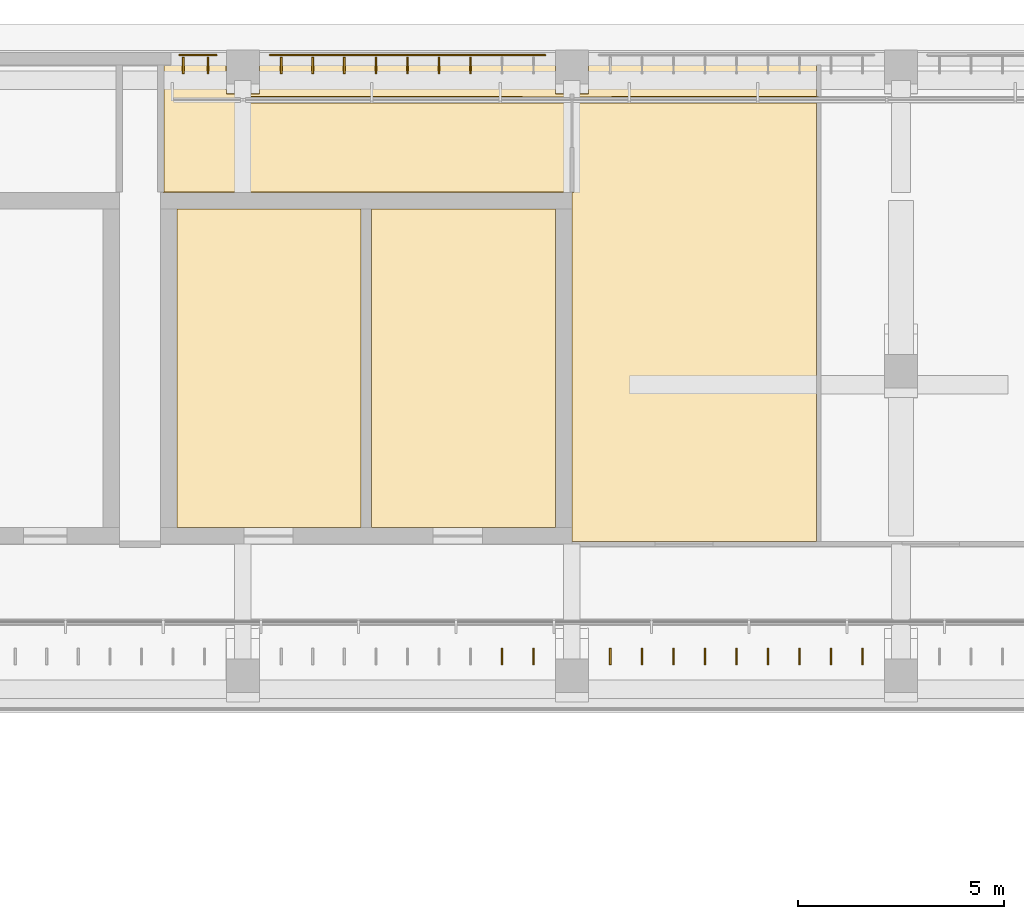
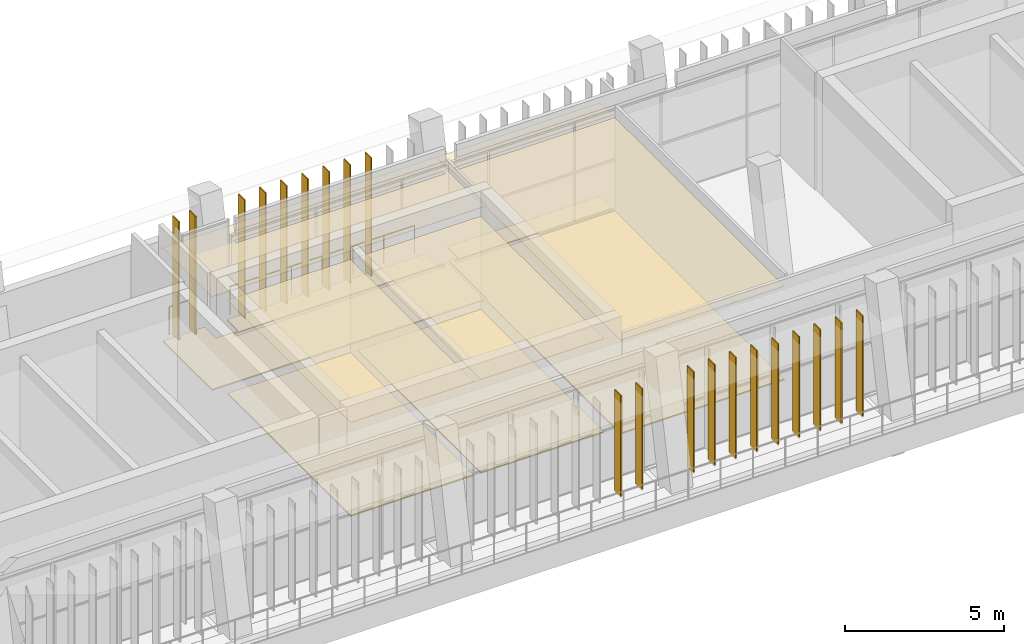
# One storey, part 82 of 89: 20 shading devices, 8 coverings, 2 railings.
"""IFC4 building model written with IfcOpenShell, lengths in metres."""

from ifc_helpers import new_model, si_unit, direction, frame, origin, origin_2d, place, context, subcontext, project, spatial, polyline, rectangle, circle, outline, extrude, material, layer, layer_set, type_object, element, save


model = new_model("IFC4")

# Units and contexts
model_context = context("Model", 3, precision=1e-05, world=origin(), true_north=direction((0.0, 1.0)))
body_context = subcontext(model_context, "Body", "Model", "MODEL_VIEW")
ifc_project = project(units=[si_unit("LENGTHUNIT", "METRE"), si_unit("AREAUNIT", "SQUARE_METRE"), si_unit("VOLUMEUNIT", "CUBIC_METRE"), si_unit("PLANEANGLEUNIT", "RADIAN"), si_unit("MASSUNIT", "GRAM", prefix="KILO")], contexts=[model_context])

# Site, building, storey
site_placement = place(None, origin())
site = spatial("IfcSite", under=ifc_project, at=site_placement, CompositionType="ELEMENT")
building_placement = place(site_placement, origin())
building = spatial("IfcBuilding", under=site, at=building_placement, Name="Lantern Court Media Centre", CompositionType="ELEMENT")
storey_placement = place(building_placement, frame((0.0, 0.0, 14.39990234375)))
storey = spatial("IfcBuildingStorey", under=building, at=storey_placement, Name="L03", CompositionType="ELEMENT", Elevation=14.39990234375)

# Coverings
ifc_material_1 = material(Name="Carpet")
ifc_layer_1 = layer(ifc_material_1, 0.050048828125)
ifc_layer_set_1 = layer_set([ifc_layer_1], Name="Carpet")
covering_type_1 = type_object("IfcCoveringType", Name="Carpet floor finish", PredefinedType="FLOORING", material=ifc_layer_set_1)
covering_1_placement = place(storey_placement, origin())
element("IfcCovering", 1, at=covering_1_placement, inside=storey, type_object=covering_type_1, Name="Sound Mixing Suite 03 floor finish", PredefinedType="FLOORING", context=body_context, shape_type="SweptSolid", body=[
    extrude(outline(polyline([(46.405029296875, 103.455078125), (46.405029296875, 111.195068359375), (50.8701171875, 111.195068359375), (50.8701171875, 103.455078125), (46.405029296875, 103.455078125)])), origin(), (0.0, 0.0, 1.0), 0.050048828125),
])
covering_2_placement = place(storey_placement, origin())
element("IfcCovering", 2, at=covering_2_placement, inside=storey, type_object=covering_type_1, Name="Colour Grading Suite 03 floor finish", PredefinedType="FLOORING", context=body_context, shape_type="SweptSolid", body=[
    extrude(outline(polyline([(51.1298828125, 111.195068359375), (55.594970703125, 111.195068359375), (55.594970703125, 103.455078125), (51.1298828125, 103.455078125), (51.1298828125, 111.195068359375)])), origin(), (0.0, 0.0, 1.0), 0.050048828125),
])
covering_3_placement = place(storey_placement, origin())
element("IfcCovering", 3, at=covering_3_placement, inside=storey, type_object=covering_type_1, Name="Production Office 01 floor finish", PredefinedType="FLOORING", context=body_context, shape_type="SweptSolid", body=[
    extrude(outline(polyline([(55.594970703125, 114.699951171875), (55.595703125, 113.99755859375), (55.945068359375, 113.9951171875), (55.945068359375, 111.60498046875), (46.0849609375, 111.60498046875), (46.0849609375, 114.695068359375), (47.594970703125, 114.699951171875), (47.596923828125, 113.99609375), (48.39990234375, 113.9951171875), (48.405029296875, 114.699951171875), (55.594970703125, 114.699951171875)]), holes=[polyline([(48.195068359375, 113.77490234375), (55.800048828125, 113.77001953125), (55.804931640625, 113.925048828125), (48.199951171875, 113.929931640625), (48.195068359375, 113.77490234375)])]), origin(), (0.0, 0.0, 1.0), 0.050048828125),
])
covering_4_placement = place(storey_placement, origin())
element("IfcCovering", 4, at=covering_4_placement, inside=storey, type_object=covering_type_1, Name="Production Office 03 floor finish", PredefinedType="FLOORING", context=body_context, shape_type="SweptSolid", body=[
    extrude(outline(polyline([(61.945068359375, 114.699951171875), (61.945068359375, 113.929931640625), (56.195068359375, 113.925048828125), (56.199951171875, 113.77001953125), (61.945068359375, 113.77001953125), (61.945068359375, 103.117431640625), (56.0048828125, 103.117431640625), (56.0048828125, 111.60009765625), (56.054931640625, 111.60498046875), (56.054931640625, 113.9951171875), (56.404296875, 113.99755859375), (56.405029296875, 114.699951171875), (61.945068359375, 114.699951171875)])), origin(), (0.0, 0.0, 1.0), 0.050048828125),
])

# Railings
ifc_material_2 = material(Name="Powder-coated steel", Category="steel")
railing_type = type_object("IfcRailingType", Name="Floor edge guard 1100", PredefinedType="GUARDRAIL", material=ifc_material_2)
railing_1_placement = place(storey_placement, frame((46.458984375, 114.93994140625, 0.0)))
element("IfcRailing", 5, at=railing_1_placement, inside=storey, type_object=railing_type, Name="L03 edge guard 87", PredefinedType="GUARDRAIL", context=body_context, shape_type="SweptSolid", body=[
    extrude(circle(Radius=0.02392578125, at=origin_2d()), frame((0.0, 0.0, 1.076171875), z_axis=(1.0, 0.0, 0.0), x_axis=(0.0, 1.0, 0.0)), (0.0, 0.0, 1.0), 0.89892578125),
    extrude(circle(Radius=0.02099609375, at=origin_2d()), origin(), (0.0, 0.0, 1.0), 1.052001953125),
    extrude(circle(Radius=0.02099609375, at=origin_2d()), frame((0.89892578125, 0.0, 0.0)), (0.0, 0.0, 1.0), 1.052001953125),
])
railing_2_placement = place(storey_placement, frame((48.656982421875, 114.93994140625, 0.0)))
element("IfcRailing", 6, at=railing_2_placement, inside=storey, type_object=railing_type, Name="L03 edge guard 90", PredefinedType="GUARDRAIL", context=body_context, shape_type="SweptSolid", body=[
    extrude(circle(Radius=0.02392578125, at=origin_2d()), frame((0.0, 0.0, 1.076171875), z_axis=(1.0, 0.0, 0.0), x_axis=(0.0, 1.0, 0.0)), (0.0, 0.0, 1.0), 6.697021484375),
    extrude(circle(Radius=0.02099609375, at=origin_2d()), origin(), (0.0, 0.0, 1.0), 1.052001953125),
    extrude(circle(Radius=0.02099609375, at=origin_2d()), frame((1.1162109375, 0.0, 0.0)), (0.0, 0.0, 1.0), 1.052001953125),
    extrude(circle(Radius=0.02099609375, at=origin_2d()), frame((2.232421875, 0.0, 0.0)), (0.0, 0.0, 1.0), 1.052001953125),
    extrude(circle(Radius=0.02099609375, at=origin_2d()), frame((3.3486328125, 0.0, 0.0)), (0.0, 0.0, 1.0), 1.052001953125),
    extrude(circle(Radius=0.02099609375, at=origin_2d()), frame((4.464599609375, 0.0, 0.0)), (0.0, 0.0, 1.0), 1.052001953125),
    extrude(circle(Radius=0.02099609375, at=origin_2d()), frame((5.580810546875, 0.0, 0.0)), (0.0, 0.0, 1.0), 1.052001953125),
    extrude(circle(Radius=0.02099609375, at=origin_2d()), frame((6.697021484375, 0.0, 0.0)), (0.0, 0.0, 1.0), 1.052001953125),
])

# Coverings
ifc_material_3 = material(Name="Mineral fibre ceiling tile")
ifc_layer_2 = layer(ifc_material_3, 0.02001953125)
ifc_layer_set_2 = layer_set([ifc_layer_2], Name="Mineral fibre ceiling tile")
covering_type_2 = type_object("IfcCoveringType", Name="Suspended ceiling tile", PredefinedType="CEILING", material=ifc_layer_set_2)
covering_5_placement = place(storey_placement, frame((0.0, 0.0, 3.60009765625)))
element("IfcCovering", 7, at=covering_5_placement, inside=storey, type_object=covering_type_2, Name="Sound Mixing Suite 03 ceiling", PredefinedType="CEILING", context=body_context, shape_type="SweptSolid", body=[
    extrude(outline(polyline([(51.0, 103.450439453125), (46.400390625, 103.450439453125), (46.400390625, 111.199462890625), (51.0, 111.199462890625), (50.87451171875, 111.195068359375), (50.87451171875, 103.455078125), (51.0, 103.450439453125)])), origin(), (0.0, 0.0, 1.0), 0.02001953125),
])
covering_6_placement = place(storey_placement, frame((0.0, 0.0, 3.60009765625)))
element("IfcCovering", 8, at=covering_6_placement, inside=storey, type_object=covering_type_2, Name="Colour Grading Suite 03 ceiling", PredefinedType="CEILING", context=body_context, shape_type="SweptSolid", body=[
    extrude(outline(polyline([(51.0, 111.199462890625), (55.599609375, 111.199462890625), (55.599609375, 103.450439453125), (51.0, 103.450439453125), (51.12548828125, 103.455078125), (51.12548828125, 111.195068359375), (51.0, 111.199462890625)])), origin(), (0.0, 0.0, 1.0), 0.02001953125),
])
covering_7_placement = place(storey_placement, frame((0.0, 0.0, 3.60009765625)))
element("IfcCovering", 9, at=covering_7_placement, inside=storey, type_object=covering_type_2, Name="Production Office 01 ceiling", PredefinedType="CEILING", context=body_context, shape_type="SweptSolid", body=[
    extrude(outline(polyline([(56.0, 111.6005859375), (46.0, 111.6005859375), (46.08056640625, 111.60498046875), (46.08056640625, 114.695068359375), (46.0, 114.699462890625), (56.0, 114.699951171875), (56.0, 113.99560546875), (55.949462890625, 113.9951171875), (55.949462890625, 111.60498046875), (56.0, 111.6005859375)]), holes=[polyline([(48.199951171875, 113.925537109375), (48.199951171875, 113.7744140625), (55.800537109375, 113.77490234375), (55.800048828125, 113.925537109375), (48.199951171875, 113.925537109375)])]), origin(), (0.0, 0.0, 1.0), 0.02001953125),
])
covering_8_placement = place(storey_placement, frame((0.0, 0.0, 3.60009765625)))
element("IfcCovering", 10, at=covering_8_placement, inside=storey, type_object=covering_type_2, Name="Production Office 03 ceiling", PredefinedType="CEILING", context=body_context, shape_type="SweptSolid", body=[
    extrude(outline(polyline([(62.0, 113.7705078125), (61.949462890625, 113.77001953125), (61.949462890625, 103.113037109375), (56.00048828125, 103.113037109375), (56.0, 111.6044921875), (56.050537109375, 111.60498046875), (56.050537109375, 113.9951171875), (56.0, 113.99560546875), (56.0, 114.699951171875), (61.949462890625, 114.699951171875), (61.949462890625, 113.929931640625), (62.0, 113.925537109375), (56.199951171875, 113.925537109375), (56.199462890625, 113.77490234375), (62.0, 113.7705078125)])), origin(), (0.0, 0.0, 1.0), 0.02001953125),
])

# Shading devices
ifc_material_4 = material(Name="Bronze anodised aluminium louvre", Category="aluminium")
ifc_layer_3 = layer(ifc_material_4, 0.0400390625)
ifc_layer_set_3 = layer_set([ifc_layer_3], Name="Bronze anodised aluminium louvre")
shading_device_type_1 = type_object("IfcShadingDeviceType", Name="Vertical louvre 40x400 full storey", PredefinedType="USERDEFINED", material=ifc_layer_set_3)
for number, where, z_axis, x_axis, name in (
    (11, (46.550048828125, 114.679931640625, 0.0), (0.0, 0.0, 1.0), (1.0, 0.0, 0.0), "Vertical louvre N outer L03"),
    (12, (47.14990234375, 114.679931640625, 0.0), (0.0, 0.0, 1.0), (1.0, 0.0, 0.0), "Vertical louvre N outer L03"),
    (13, (48.933349609375, 114.679931640625, 0.0), (0.0, 0.0, 1.0), (1.0, 0.0, 0.0), "Vertical louvre N outer L03"),
    (14, (49.699951171875, 114.679931640625, 0.0), (0.0, 0.0, 1.0), (1.0, 0.0, 0.0), "Vertical louvre N outer L03"),
    (15, (50.466552734375, 114.679931640625, 0.0), (0.0, 0.0, 1.0), (1.0, 0.0, 0.0), "Vertical louvre N outer L03"),
    (16, (51.2333984375, 114.679931640625, 0.0), (0.0, 0.0, 1.0), (1.0, 0.0, 0.0), "Vertical louvre N outer L03"),
    (17, (52.0, 114.679931640625, 0.0), (0.0, 0.0, 1.0), (1.0, 0.0, 0.0), "Vertical louvre N outer L03"),
    (18, (52.7666015625, 114.679931640625, 0.0), (0.0, 0.0, 1.0), (1.0, 0.0, 0.0), "Vertical louvre N outer L03"),
    (19, (53.533447265625, 114.679931640625, 0.0), (0.0, 0.0, 1.0), (1.0, 0.0, 0.0), "Vertical louvre N outer L03"),
):
    element("IfcShadingDevice", number, at=place(storey_placement, frame(where, z_axis=z_axis, x_axis=x_axis)), inside=storey, type_object=shading_device_type_1, Name=name, ObjectType="VERTICAL LOUVRE", PredefinedType="USERDEFINED", context=body_context, shape_type="SweptSolid", body=[
        extrude(rectangle(XDim=0.0400390625, YDim=0.39990234375, at=origin_2d()), origin(), (0.0, 0.0, 1.0), 4.580078125),
    ])
ifc_layer_4 = layer(ifc_material_4, 0.0400390625)
ifc_layer_set_4 = layer_set([ifc_layer_4], Name="Bronze anodised aluminium louvre")
shading_device_type_2 = type_object("IfcShadingDeviceType", Name="Vertical louvre 40x400 under beam", PredefinedType="USERDEFINED", material=ifc_layer_set_4)
for number, where, z_axis, x_axis, name in (
    (20, (54.300048828125, 100.320068359375, 0.000244140625), (0.0, 0.0, 1.0), (1.0, 0.0, 0.0), "Vertical louvre N inner L03"),
    (21, (55.066650390625, 100.320068359375, 0.000244140625), (0.0, 0.0, 1.0), (1.0, 0.0, 0.0), "Vertical louvre N inner L03"),
    (22, (56.933349609375, 100.320068359375, 0.000244140625), (0.0, 0.0, 1.0), (1.0, 0.0, 0.0), "Vertical louvre N inner L03"),
    (23, (57.699951171875, 100.320068359375, 0.000244140625), (0.0, 0.0, 1.0), (1.0, 0.0, 0.0), "Vertical louvre N inner L03"),
    (24, (58.466552734375, 100.320068359375, 0.000244140625), (0.0, 0.0, 1.0), (1.0, 0.0, 0.0), "Vertical louvre N inner L03"),
    (25, (59.2333984375, 100.320068359375, 0.000244140625), (0.0, 0.0, 1.0), (1.0, 0.0, 0.0), "Vertical louvre N inner L03"),
    (26, (60.0, 100.320068359375, 0.000244140625), (0.0, 0.0, 1.0), (1.0, 0.0, 0.0), "Vertical louvre N inner L03"),
    (27, (60.7666015625, 100.320068359375, 0.000244140625), (0.0, 0.0, 1.0), (1.0, 0.0, 0.0), "Vertical louvre N inner L03"),
    (28, (61.533447265625, 100.320068359375, 0.000244140625), (0.0, 0.0, 1.0), (1.0, 0.0, 0.0), "Vertical louvre N inner L03"),
    (29, (62.300048828125, 100.320068359375, 0.000244140625), (0.0, 0.0, 1.0), (1.0, 0.0, 0.0), "Vertical louvre N inner L03"),
    (30, (63.066650390625, 100.320068359375, 0.000244140625), (0.0, 0.0, 1.0), (1.0, 0.0, 0.0), "Vertical louvre N inner L03"),
):
    element("IfcShadingDevice", number, at=place(storey_placement, frame(where, z_axis=z_axis, x_axis=x_axis)), inside=storey, type_object=shading_device_type_2, Name=name, ObjectType="VERTICAL LOUVRE", PredefinedType="USERDEFINED", context=body_context, shape_type="SweptSolid", body=[
        extrude(rectangle(XDim=0.0400390625, YDim=0.39990234375, at=origin_2d()), origin(), (0.0, 0.0, 1.0), 3.89990234375),
    ])

save(model, "model.ifc")
